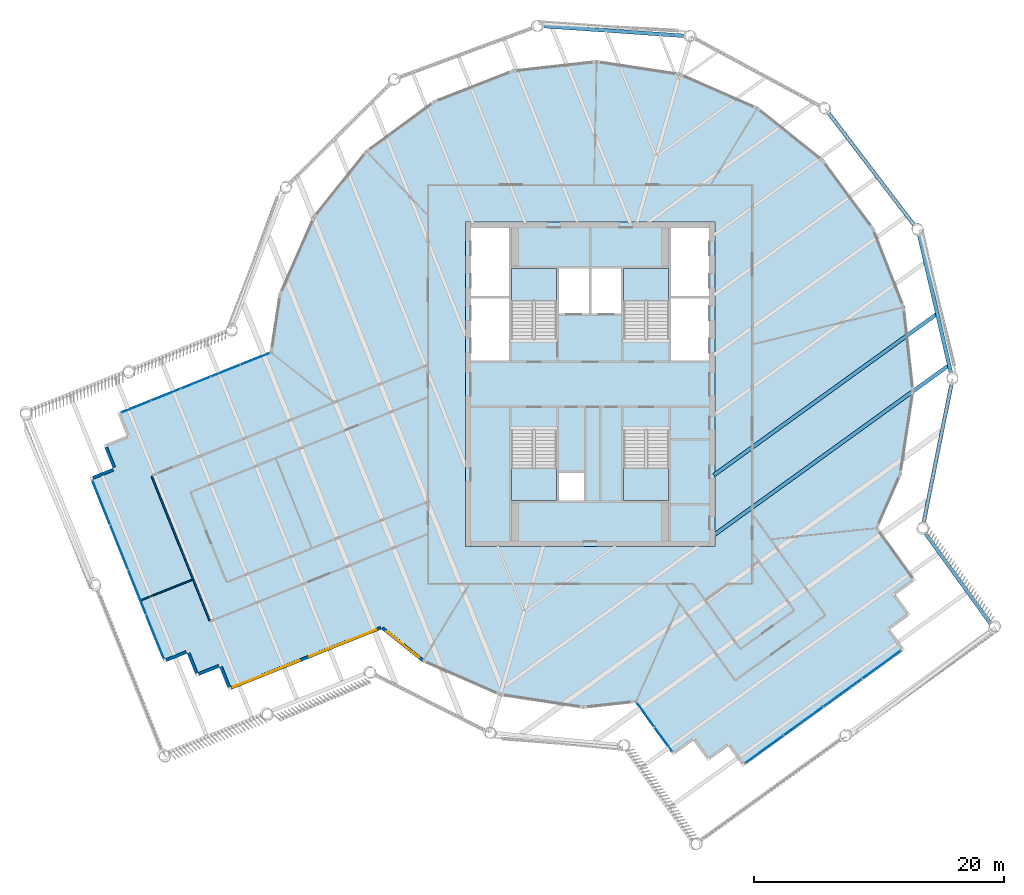
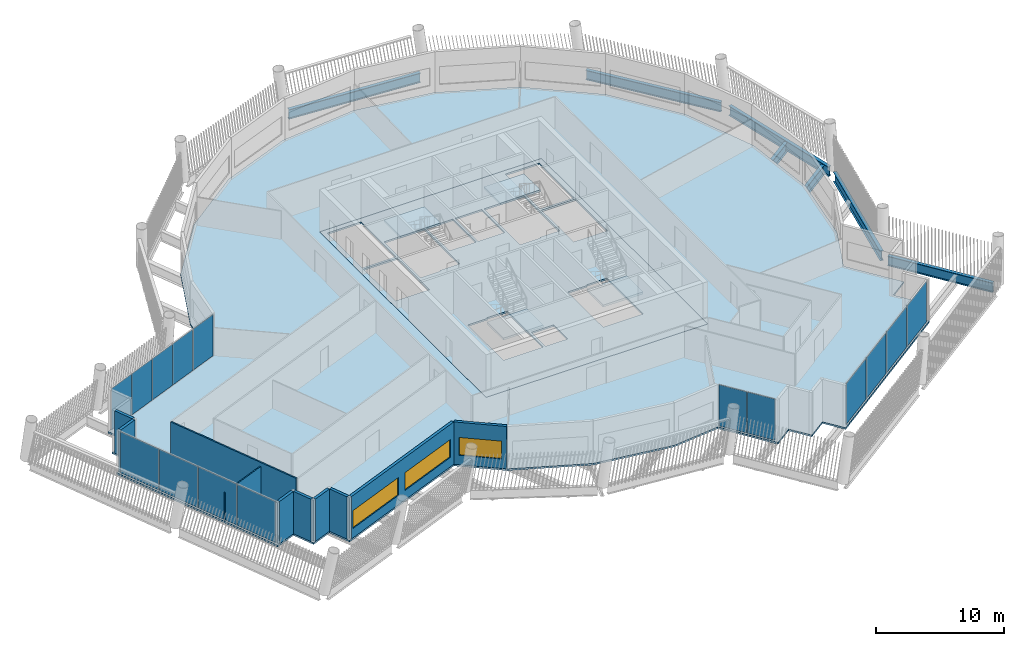
# One storey, part 15 of 27: 15 plates, 10 walls, 7 beams, 6 slabs, 3 windows, 3 openings, 8 elements without a shape of their own.
"""IFC4 building model written with IfcOpenShell, lengths in metres."""

from ifc_helpers import new_model, si_unit, direction, frame, frame_2d, origin, origin_2d, place, context, subcontext, project, spatial, polyline, rectangle, i_section, outline, extrude, material, layer, layer_set, material_profile, profile_set, type_object, element, fill, aggregate, save


model = new_model("IFC4")

# Units and contexts
model_context = context("Model", 3, precision=1e-05, world=origin(), true_north=direction((0.0, 1.0)))
body_context = subcontext(model_context, "Body", "Model", "MODEL_VIEW")
ifc_project = project(units=[si_unit("LENGTHUNIT", "METRE"), si_unit("AREAUNIT", "SQUARE_METRE"), si_unit("VOLUMEUNIT", "CUBIC_METRE"), si_unit("PLANEANGLEUNIT", "RADIAN"), si_unit("MASSUNIT", "GRAM", prefix="KILO")], contexts=[model_context])

# Site, building, storey
site_placement = place(None, origin())
site = spatial("IfcSite", under=ifc_project, at=site_placement, CompositionType="ELEMENT")
building_placement = place(site_placement, origin())
building = spatial("IfcBuilding", under=site, at=building_placement, Name="Tarsis Ring Headquarters", CompositionType="ELEMENT")
storey_placement = place(building_placement, frame((0.0, 0.0, 373.39990234375)))
storey = spatial("IfcBuildingStorey", under=building, at=storey_placement, Name="L88", CompositionType="ELEMENT", Elevation=373.39990234375)

# Beams
ifc_material_1 = material(Name="Structural steel S355", Category="steel")
ifc_material_profile = material_profile(ifc_material_1, i_section(OverallWidth=0.3046875, OverallDepth=0.91943359375, WebThickness=0.017333984375, FlangeThickness=0.02783203125, at=origin_2d()), Name="W36x170")
ifc_profile_set = profile_set([ifc_material_profile], Name="Structural steel S355")
beam_type_1 = type_object("IfcBeamType", Name="FB Floor beam W36x170", PredefinedType="JOIST", material=ifc_profile_set)
beam_1_placement = place(storey_placement, frame((9.9189453125, -7.2685546875, -0.61962890625), z_axis=(0.810653222784, 0.585526559936, 0.0), x_axis=(-0.585526559936, 0.810653222784, 0.0)))
element("IfcBeam", 1, at=beam_1_placement, inside=storey, type_object=beam_type_1, Name="Floor beam FB9", PredefinedType="JOIST", context=body_context, shape_type="SweptSolid", body=[
    extrude(i_section(OverallWidth=0.3046875, OverallDepth=0.91943359375, WebThickness=0.017333984375, FlangeThickness=0.02783203125, at=origin_2d()), origin(), (0.0, 0.0, 1.0), 22.032958984375),
])
beam_2_placement = place(storey_placement, frame((9.9189453125, -12.079345703125, -0.61962890625), z_axis=(0.810654814766, 0.585524355852, 0.0), x_axis=(-0.585524355852, 0.810654814766, 0.0)))
element("IfcBeam", 2, at=beam_2_placement, inside=storey, type_object=beam_type_1, Name="Floor beam FB9", PredefinedType="JOIST", context=body_context, shape_type="SweptSolid", body=[
    extrude(i_section(OverallWidth=0.3046875, OverallDepth=0.91943359375, WebThickness=0.017333984375, FlangeThickness=0.02783203125, at=origin_2d()), origin(), (0.0, 0.0, 1.0), 23.2060546875),
])
beam_type_2 = type_object("IfcBeamType", Name="XG Ring girder W36x170", PredefinedType="BEAM", material=ifc_profile_set)
beam_3_placement = place(storey_placement, frame((32.133056640625, -19.21142578125, -0.459716796875), z_axis=(-0.585542161158, 0.810641953951, 0.0), x_axis=(-0.810641953951, -0.585542161158, 0.0)))
element("IfcBeam", 3, at=beam_3_placement, inside=storey, type_object=beam_type_2, Name="Ring girder XG4", PredefinedType="BEAM", context=body_context, shape_type="SweptSolid", body=[
    extrude(i_section(OverallWidth=0.3046875, OverallDepth=0.91943359375, WebThickness=0.017333984375, FlangeThickness=0.02783203125, at=origin_2d()), origin(), (0.0, 0.0, 1.0), 8.9814453125),
])
for number, where, z_axis, x_axis, name in (
    (4, (26.714111328125, -11.193603515625, -0.459716796875), (0.196962530543, 0.980411016647, 0.0), (-0.980411016647, 0.196962530543, 0.0), "Ring girder XG4"),
    (5, (28.953125, 0.81298828125, -0.459716796875), (-0.224676920567, 0.974433312939, 0.0), (-0.974433312939, -0.224676920567, 0.0), "Ring girder XG4"),
    (6, (26.044189453125, 12.6748046875, -0.459716796875), (-0.606353466192, 0.795195242716, 0.0), (-0.795195242716, -0.606353466192, 0.0), "Ring girder XG4"),
):
    element("IfcBeam", number, at=place(storey_placement, frame(where, z_axis=z_axis, x_axis=x_axis)), inside=storey, type_object=beam_type_2, Name=name, PredefinedType="BEAM", context=body_context, shape_type="SweptSolid", body=[
        extrude(i_section(OverallWidth=0.3046875, OverallDepth=0.91943359375, WebThickness=0.017333984375, FlangeThickness=0.02783203125, at=origin_2d()), origin(), (0.0, 0.0, 1.0), 11.426025390625),
    ])
beam_4_placement = place(storey_placement, frame((7.67431640625, 27.929443359375, -0.459716796875), z_axis=(-0.997578411764, 0.069550789948, 0.0), x_axis=(-0.069550789948, -0.997578411764, 0.0)))
element("IfcBeam", 7, at=beam_4_placement, inside=storey, type_object=beam_type_2, Name="Ring girder XG4", PredefinedType="BEAM", context=body_context, shape_type="SweptSolid", body=[
    extrude(i_section(OverallWidth=0.3046875, OverallDepth=0.91943359375, WebThickness=0.017333984375, FlangeThickness=0.02783203125, at=origin_2d()), origin(), (0.0, 0.0, 1.0), 11.42578125),
])

# Slab
ifc_material_2 = material(Name="Concrete C40/50", Category="concrete")
ifc_layer_1 = layer(ifc_material_2, 0.159912109375)
ifc_layer_set_1 = layer_set([ifc_layer_1], Name="Core floor slab 160 C40/50")
slab_type_1 = type_object("IfcSlabType", Name="Core floor slab 160 C40/50", PredefinedType="FLOOR", material=ifc_layer_set_1)
slab_1_placement = place(storey_placement, frame((0.0, 0.0, -0.159912109375)))
element("IfcSlab", 8, at=slab_1_placement, inside=storey, type_object=slab_type_1, Name="L88 core floor slab", PredefinedType="FLOOR", context=body_context, shape_type="SweptSolid", body=[
    extrude(outline(polyline([(-10.0, -13.0), (10.0, -13.0), (10.0, 13.0), (-10.0, 13.0), (-10.0, -13.0)]), holes=[polyline([(-2.5, 5.699951171875), (-0.10009765625, 5.699951171875), (-0.10009765625, 9.300048828125), (-2.5, 9.300048828125), (-2.5, 5.699951171875)]), polyline([(0.10009765625, 5.699951171875), (2.5, 5.699951171875), (2.5, 9.300048828125), (0.10009765625, 9.300048828125), (0.10009765625, 5.699951171875)]), polyline([(-9.550048828125, 1.89990234375), (-6.5, 1.89990234375), (-6.5, 6.89990234375), (-9.550048828125, 6.89990234375), (-9.550048828125, 1.89990234375)]), polyline([(-9.550048828125, 7.10009765625), (-6.5, 7.10009765625), (-6.5, 12.550048828125), (-9.550048828125, 12.550048828125), (-9.550048828125, 7.10009765625)]), polyline([(6.5, 1.89990234375), (9.550048828125, 1.89990234375), (9.550048828125, 6.89990234375), (6.5, 6.89990234375), (6.5, 1.89990234375)]), polyline([(6.5, 7.10009765625), (9.550048828125, 7.10009765625), (9.550048828125, 12.550048828125), (6.5, 12.550048828125), (6.5, 7.10009765625)]), polyline([(-2.5, -9.300048828125), (-0.5, -9.300048828125), (-0.5, -7.10009765625), (-2.5, -7.10009765625), (-2.5, -9.300048828125)]), polyline([(-2.699951171875, 3.760009765625), (-2.699951171875, 9.300048828125), (-6.300048828125, 9.300048828125), (-6.300048828125, 3.659912109375), (-4.4599609375, 3.659912109375), (-4.4599609375, 3.760009765625), (-2.699951171875, 3.760009765625)]), polyline([(6.300048828125, 3.760009765625), (6.300048828125, 9.300048828125), (2.699951171875, 9.300048828125), (2.699951171875, 3.659912109375), (4.5400390625, 3.659912109375), (4.5400390625, 3.760009765625), (6.300048828125, 3.760009765625)]), polyline([(-6.300048828125, -3.760009765625), (-6.300048828125, -9.300048828125), (-2.699951171875, -9.300048828125), (-2.699951171875, -3.659912109375), (-4.5400390625, -3.659912109375), (-4.5400390625, -3.760009765625), (-6.300048828125, -3.760009765625)]), polyline([(2.699951171875, -3.760009765625), (2.699951171875, -9.300048828125), (6.300048828125, -9.300048828125), (6.300048828125, -3.659912109375), (4.4599609375, -3.659912109375), (4.4599609375, -3.760009765625), (2.699951171875, -3.760009765625)])]), origin(), (0.0, 0.0, 1.0), 0.159912109375),
])

# Stair, slab
ifc_material_3 = material(Name="Core stair 1760")
stair_type = type_object("IfcStairType", Name="Core stair 1760", PredefinedType="HALF_TURN_STAIR", material=ifc_material_3)
stair_1_placement = place(storey_placement, origin())
stair_1 = element("IfcStair", 9, at=stair_1_placement, inside=storey, type_object=stair_type, Name="L88 Firefighting stair", PredefinedType="HALF_TURN_STAIR")
ifc_layer_2 = layer(ifc_material_2, 0.199951171875)
ifc_layer_set_2 = layer_set([ifc_layer_2], Name="Core stair landing 200")
slab_type_2 = type_object("IfcSlabType", Name="Core stair landing 200", PredefinedType="LANDING", material=ifc_layer_set_2)
slab_2_placement = place(storey_placement, frame((0.0, 0.0, 1.900146484375)))
slab_2 = element("IfcSlab", 10, at=slab_2_placement, type_object=slab_type_2, Name="Stair ST1 landing 1", PredefinedType="LANDING", context=body_context, shape_type="SweptSolid", body=[
    extrude(outline(polyline([(-2.699951171875, 6.739990234375), (-2.699951171875, 9.300048828125), (-6.300048828125, 9.300048828125), (-6.300048828125, 6.739990234375), (-2.699951171875, 6.739990234375)])), origin(), (0.0, 0.0, 1.0), 0.199951171875),
])
aggregate(stair_1, [slab_2])

stair_2_placement = place(storey_placement, origin())
stair_2 = element("IfcStair", 11, at=stair_2_placement, inside=storey, type_object=stair_type, Name="L88 Exit stair B", PredefinedType="HALF_TURN_STAIR")
slab_3_placement = place(storey_placement, frame((0.0, 0.0, 1.900146484375)))
slab_3 = element("IfcSlab", 12, at=slab_3_placement, type_object=slab_type_2, Name="Stair ST2 landing 1", PredefinedType="LANDING", context=body_context, shape_type="SweptSolid", body=[
    extrude(outline(polyline([(6.300048828125, 6.739990234375), (6.300048828125, 9.300048828125), (2.699951171875, 9.300048828125), (2.699951171875, 6.739990234375), (6.300048828125, 6.739990234375)])), origin(), (0.0, 0.0, 1.0), 0.199951171875),
])
aggregate(stair_2, [slab_3])

stair_3_placement = place(storey_placement, origin())
stair_3 = element("IfcStair", 13, at=stair_3_placement, inside=storey, type_object=stair_type, Name="L88 Exit stair C", PredefinedType="HALF_TURN_STAIR")
slab_4_placement = place(storey_placement, frame((0.0, 0.0, 1.900146484375)))
slab_4 = element("IfcSlab", 14, at=slab_4_placement, type_object=slab_type_2, Name="Stair ST3 landing 1", PredefinedType="LANDING", context=body_context, shape_type="SweptSolid", body=[
    extrude(outline(polyline([(-6.300048828125, -6.739990234375), (-6.300048828125, -9.300048828125), (-2.699951171875, -9.300048828125), (-2.699951171875, -6.739990234375), (-6.300048828125, -6.739990234375)])), origin(), (0.0, 0.0, 1.0), 0.199951171875),
])
aggregate(stair_3, [slab_4])

stair_4_placement = place(storey_placement, origin())
stair_4 = element("IfcStair", 15, at=stair_4_placement, inside=storey, type_object=stair_type, Name="L88 Exit stair D", PredefinedType="HALF_TURN_STAIR")
slab_5_placement = place(storey_placement, frame((0.0, 0.0, 1.900146484375)))
slab_5 = element("IfcSlab", 16, at=slab_5_placement, type_object=slab_type_2, Name="Stair ST4 landing 1", PredefinedType="LANDING", context=body_context, shape_type="SweptSolid", body=[
    extrude(outline(polyline([(2.699951171875, -6.739990234375), (2.699951171875, -9.300048828125), (6.300048828125, -9.300048828125), (6.300048828125, -6.739990234375), (2.699951171875, -6.739990234375)])), origin(), (0.0, 0.0, 1.0), 0.199951171875),
])
aggregate(stair_4, [slab_5])

# Curtain wall, plates
ifc_material_4 = material(Name="Aluminium curtain wall", Category="aluminium")
ifc_layer_3 = layer(ifc_material_4, 0.199951171875)
ifc_layer_set_3 = layer_set([ifc_layer_3], Name="Curtain wall executive tip")
curtain_wall_type_1 = type_object("IfcCurtainWallType", Name="Curtain wall executive tip", PredefinedType="NOTDEFINED", material=ifc_layer_set_3)
curtain_wall_1_placement = place(storey_placement, origin())
curtain_wall_1 = element("IfcCurtainWall", 17, at=curtain_wall_1_placement, inside=storey, type_object=curtain_wall_type_1, Name="Curtain wall L88-11", PredefinedType="NOTDEFINED")
ifc_material_5 = material(Name="Clear double glazing", Category="glass")
ifc_layer_4 = layer(ifc_material_5, 0.028076171875)
ifc_layer_set_4 = layer_set([ifc_layer_4], Name="Curtain wall glass panel executive tip")
plate_type_1 = type_object("IfcPlateType", Name="Curtain wall glass panel executive tip", PredefinedType="CURTAIN_PANEL", material=ifc_layer_set_4)
plate_1_placement = place(storey_placement, frame((13.9658203125, -29.232666015625, 0.070068359375), z_axis=(0.0, 0.0, 1.0), x_axis=(0.810655269208, 0.58552372668, 0.0)))
plate_1 = element("IfcPlate", 18, at=plate_1_placement, type_object=plate_type_1, Name="CW-E panel 1.1", PredefinedType="CURTAIN_PANEL", context=body_context, shape_type="SweptSolid", body=[
    extrude(rectangle(XDim=3.77001953125, YDim=0.028076171875, at=origin_2d()), origin(), (0.0, 0.0, 1.0), 3.89990234375),
])
plate_2_placement = place(storey_placement, frame((17.093017578125, -26.97412109375, 0.070068359375), z_axis=(0.0, 0.0, 1.0), x_axis=(0.810655269208, 0.58552372668, 0.0)))
plate_2 = element("IfcPlate", 19, at=plate_2_placement, type_object=plate_type_1, Name="CW-E panel 2.1", PredefinedType="CURTAIN_PANEL", context=body_context, shape_type="SweptSolid", body=[
    extrude(rectangle(XDim=3.804931640625, YDim=0.028076171875, at=origin_2d()), origin(), (0.0, 0.0, 1.0), 3.89990234375),
])
plate_3_placement = place(storey_placement, frame((20.234130859375, -24.705078125, 0.070068359375), z_axis=(0.0, 0.0, 1.0), x_axis=(0.810655269208, 0.58552372668, 0.0)))
plate_3 = element("IfcPlate", 20, at=plate_3_placement, type_object=plate_type_1, Name="CW-E panel 3.1", PredefinedType="CURTAIN_PANEL", context=body_context, shape_type="SweptSolid", body=[
    extrude(rectangle(XDim=3.804931640625, YDim=0.028076171875, at=origin_2d()), origin(), (0.0, 0.0, 1.0), 3.89990234375),
])
plate_4_placement = place(storey_placement, frame((23.361328125, -22.446533203125, 0.070068359375), z_axis=(0.0, 0.0, 1.0), x_axis=(0.810655269208, 0.58552372668, 0.0)))
plate_4 = element("IfcPlate", 21, at=plate_4_placement, type_object=plate_type_1, Name="CW-E panel 4.1", PredefinedType="CURTAIN_PANEL", context=body_context, shape_type="SweptSolid", body=[
    extrude(rectangle(XDim=3.77001953125, YDim=0.028076171875, at=origin_2d()), origin(), (0.0, 0.0, 1.0), 3.89990234375),
])
aggregate(curtain_wall_1, [plate_1, plate_2, plate_3, plate_4])

curtain_wall_2_placement = place(storey_placement, origin())
curtain_wall_2 = element("IfcCurtainWall", 22, at=curtain_wall_2_placement, inside=storey, type_object=curtain_wall_type_1, Name="Curtain wall L88-36", PredefinedType="NOTDEFINED")
plate_5_placement = place(storey_placement, frame((-39.1689453125, -9.455078125, 0.070068359375), z_axis=(0.0, 0.0, 1.0), x_axis=(0.372015942513, -0.928226340133, 0.0)))
plate_5 = element("IfcPlate", 23, at=plate_5_placement, type_object=plate_type_1, Name="CW-E panel 1.1", PredefinedType="CURTAIN_PANEL", context=body_context, shape_type="SweptSolid", body=[
    extrude(rectangle(XDim=3.77001953125, YDim=0.028076171875, at=origin_2d()), origin(), (0.0, 0.0, 1.0), 3.89990234375),
])
plate_6_placement = place(storey_placement, frame((-37.73388671875, -13.03564453125, 0.070068359375), z_axis=(0.0, 0.0, 1.0), x_axis=(0.372015942513, -0.928226340133, 0.0)))
plate_6 = element("IfcPlate", 24, at=plate_6_placement, type_object=plate_type_1, Name="CW-E panel 2.1", PredefinedType="CURTAIN_PANEL", context=body_context, shape_type="SweptSolid", body=[
    extrude(rectangle(XDim=3.804931640625, YDim=0.028076171875, at=origin_2d()), origin(), (0.0, 0.0, 1.0), 3.89990234375),
])
plate_7_placement = place(storey_placement, frame((-36.292236328125, -16.632568359375, 0.070068359375), z_axis=(0.0, 0.0, 1.0), x_axis=(0.372015942513, -0.928226340133, 0.0)))
plate_7 = element("IfcPlate", 25, at=plate_7_placement, type_object=plate_type_1, Name="CW-E panel 3.1", PredefinedType="CURTAIN_PANEL", context=body_context, shape_type="SweptSolid", body=[
    extrude(rectangle(XDim=3.804931640625, YDim=0.028076171875, at=origin_2d()), origin(), (0.0, 0.0, 1.0), 3.89990234375),
])
plate_8_placement = place(storey_placement, frame((-34.857177734375, -20.213134765625, 0.070068359375), z_axis=(0.0, 0.0, 1.0), x_axis=(0.372015942513, -0.928226340133, 0.0)))
plate_8 = element("IfcPlate", 26, at=plate_8_placement, type_object=plate_type_1, Name="CW-E panel 4.1", PredefinedType="CURTAIN_PANEL", context=body_context, shape_type="SweptSolid", body=[
    extrude(rectangle(XDim=3.77001953125, YDim=0.028076171875, at=origin_2d()), origin(), (0.0, 0.0, 1.0), 3.89990234375),
])
aggregate(curtain_wall_2, [plate_5, plate_6, plate_7, plate_8])

ifc_layer_5 = layer(ifc_material_4, 0.14990234375)
ifc_layer_set_5 = layer_set([ifc_layer_5], Name="Curtain wall tower unit")
curtain_wall_type_2 = type_object("IfcCurtainWallType", Name="Curtain wall tower unit", PredefinedType="NOTDEFINED", material=ifc_layer_set_5)
curtain_wall_3_placement = place(storey_placement, origin())
curtain_wall_3 = element("IfcCurtainWall", 27, at=curtain_wall_3_placement, inside=storey, type_object=curtain_wall_type_2, Name="Curtain wall L88-06", PredefinedType="NOTDEFINED")
ifc_layer_6 = layer(ifc_material_5, 0.028076171875)
ifc_layer_set_6 = layer_set([ifc_layer_6], Name="Curtain wall glass panel tower unit")
plate_type_2 = type_object("IfcPlateType", Name="Curtain wall glass panel tower unit", PredefinedType="CURTAIN_PANEL", material=ifc_layer_set_6)
plate_9_placement = place(storey_placement, frame((4.468994140625, -26.468505859375, 0.06005859375), z_axis=(0.0, 0.0, 1.0), x_axis=(0.585523763551, -0.810655242577, 0.0)))
plate_9 = element("IfcPlate", 28, at=plate_9_placement, type_object=plate_type_2, Name="CW-T panel 1.1", PredefinedType="CURTAIN_PANEL", context=body_context, shape_type="SweptSolid", body=[
    extrude(rectangle(XDim=2.37109375, YDim=0.028076171875, at=origin_2d()), origin(), (0.0, 0.0, 1.0), 3.919921875),
])
plate_10_placement = place(storey_placement, frame((5.892578125, -28.439208984375, 0.06005859375), z_axis=(0.0, 0.0, 1.0), x_axis=(0.585523763551, -0.810655242577, 0.0)))
plate_10 = element("IfcPlate", 29, at=plate_10_placement, type_object=plate_type_2, Name="CW-T panel 2.1", PredefinedType="CURTAIN_PANEL", context=body_context, shape_type="SweptSolid", body=[
    extrude(rectangle(XDim=2.37109375, YDim=0.028076171875, at=origin_2d()), origin(), (0.0, 0.0, 1.0), 3.919921875),
])
aggregate(curtain_wall_3, [plate_9, plate_10])

curtain_wall_4_placement = place(storey_placement, origin())
curtain_wall_4 = element("IfcCurtainWall", 30, at=curtain_wall_4_placement, inside=storey, type_object=curtain_wall_type_2, Name="Curtain wall L88-31", PredefinedType="NOTDEFINED")
plate_11_placement = place(storey_placement, frame((-26.837890625, 2.037109375, 0.06005859375), z_axis=(0.0, 0.0, 1.0), x_axis=(-0.928226353164, -0.372015909999, 0.0)))
plate_11 = element("IfcPlate", 31, at=plate_11_placement, type_object=plate_type_2, Name="CW-T panel 1.1", PredefinedType="CURTAIN_PANEL", context=body_context, shape_type="SweptSolid", body=[
    extrude(rectangle(XDim=2.490234375, YDim=0.028076171875, at=origin_2d()), origin(), (0.0, 0.0, 1.0), 3.919921875),
])
plate_12_placement = place(storey_placement, frame((-29.218994140625, 1.082763671875, 0.06005859375), z_axis=(0.0, 0.0, 1.0), x_axis=(-0.928226353164, -0.372015909999, 0.0)))
plate_12 = element("IfcPlate", 32, at=plate_12_placement, type_object=plate_type_2, Name="CW-T panel 2.1", PredefinedType="CURTAIN_PANEL", context=body_context, shape_type="SweptSolid", body=[
    extrude(rectangle(XDim=2.520263671875, YDim=0.028076171875, at=origin_2d()), origin(), (0.0, 0.0, 1.0), 3.919921875),
])
plate_13_placement = place(storey_placement, frame((-31.614013671875, 0.122802734375, 0.06005859375), z_axis=(0.0, 0.0, 1.0), x_axis=(-0.928226353164, -0.372015909999, 0.0)))
plate_13 = element("IfcPlate", 33, at=plate_13_placement, type_object=plate_type_2, Name="CW-T panel 3.1", PredefinedType="CURTAIN_PANEL", context=body_context, shape_type="SweptSolid", body=[
    extrude(rectangle(XDim=2.520263671875, YDim=0.028076171875, at=origin_2d()), origin(), (0.0, 0.0, 1.0), 3.919921875),
])
plate_14_placement = place(storey_placement, frame((-34.00927734375, -0.8369140625, 0.06005859375), z_axis=(0.0, 0.0, 1.0), x_axis=(-0.928226353164, -0.372015909999, 0.0)))
plate_14 = element("IfcPlate", 34, at=plate_14_placement, type_object=plate_type_2, Name="CW-T panel 4.1", PredefinedType="CURTAIN_PANEL", context=body_context, shape_type="SweptSolid", body=[
    extrude(rectangle(XDim=2.520263671875, YDim=0.028076171875, at=origin_2d()), origin(), (0.0, 0.0, 1.0), 3.919921875),
])
plate_15_placement = place(storey_placement, frame((-36.390380859375, -1.791259765625, 0.06005859375), z_axis=(0.0, 0.0, 1.0), x_axis=(-0.928226353164, -0.372015909999, 0.0)))
plate_15 = element("IfcPlate", 35, at=plate_15_placement, type_object=plate_type_2, Name="CW-T panel 5.1", PredefinedType="CURTAIN_PANEL", context=body_context, shape_type="SweptSolid", body=[
    extrude(rectangle(XDim=2.490234375, YDim=0.028076171875, at=origin_2d()), origin(), (0.0, 0.0, 1.0), 3.919921875),
])
aggregate(curtain_wall_4, [plate_11, plate_12, plate_13, plate_14, plate_15])

# Slab
ifc_material_6 = material(Name="Concrete C35/45", Category="concrete")
ifc_layer_7 = layer(ifc_material_6, 0.159912109375)
ifc_layer_set_7 = layer_set([ifc_layer_7], Name="FS Composite floor slab 160")
slab_type_3 = type_object("IfcSlabType", Name="FS Composite floor slab 160", PredefinedType="FLOOR", material=ifc_layer_set_7)
slab_6_placement = place(storey_placement, frame((0.0, 0.0, -0.159912109375)))
element("IfcSlab", 36, at=slab_6_placement, inside=storey, type_object=slab_type_3, Name="Floor slab L88", PredefinedType="FLOOR", context=body_context, shape_type="SweptSolid", body=[
    extrude(outline(polyline([(-16.725341796875, -19.631103515625), (-13.453125, -22.248779296875), (-7.236328125, -24.97265625), (-0.5263671875, -25.99462890625), (3.638427734375, -25.531982421875), (6.666748046875, -29.724609375), (8.2880859375, -28.553466796875), (9.459228515625, -30.1748046875), (11.08056640625, -29.00390625), (12.25146484375, -30.625244140625), (25.221923828125, -21.2568359375), (24.051025390625, -19.635498046875), (25.67236328125, -18.46435546875), (24.501220703125, -16.843017578125), (26.12255859375, -15.672119140625), (23.106201171875, -11.49609375), (24.97265625, -7.236328125), (25.99462890625, -0.5263671875), (25.2451171875, 6.219482421875), (22.775146484375, 12.54150390625), (18.753173828125, 18.0087890625), (13.453125, 22.248779296875), (7.236328125, 24.97265625), (0.5263671875, 25.99462890625), (-6.219482421875, 25.2451171875), (-12.54150390625, 22.775146484375), (-18.0087890625, 18.753173828125), (-22.248779296875, 13.453125), (-24.97265625, 7.236328125), (-25.6728515625, 2.638671875), (-37.88037109375, -2.25390625), (-37.13623046875, -4.1103515625), (-38.99267578125, -4.854248046875), (-38.248779296875, -6.710693359375), (-40.105224609375, -7.454833984375), (-34.15283203125, -22.306396484375), (-32.29638671875, -21.5625), (-31.552490234375, -23.4189453125), (-29.696044921875, -22.6748046875), (-28.951904296875, -24.53125), (-16.725341796875, -19.631103515625)]), holes=[polyline([(-10.0, -13.0), (-10.0, 13.0), (10.0, 13.0), (10.0, -13.0), (-10.0, -13.0)])]), origin(), (0.0, 0.0, 1.0), 0.159912109375),
])

# Walls
ifc_material_7 = material(Name="Gypsum board on steel studs", Category="steel")
ifc_layer_8 = layer(ifc_material_7, 0.10009765625)
ifc_layer_set_8 = layer_set([ifc_layer_8], Name="FL partition 100 unrated")
wall_type_1 = type_object("IfcWallType", Name="FL partition 100 unrated", PredefinedType="PARTITIONING", material=ifc_layer_set_8)
wall_1_placement = place(storey_placement, frame((-36.08935546875, -17.34033203125, 0.0), z_axis=(0.0, 0.0, 1.0), x_axis=(0.928224286812, 0.372021065765, 0.0)))
element("IfcWall", 37, at=wall_1_placement, inside=storey, type_object=wall_type_1, Name="Partition PW3", PredefinedType="PARTITIONING", context=body_context, shape_type="SweptSolid", body=[
    extrude(rectangle(XDim=4.5400390625, YDim=0.10009765625, at=frame_2d((2.27001953125, 0.0))), origin(), (0.0, 0.0, 1.0), 2.7001953125),
])
ifc_layer_9 = layer(ifc_material_7, 0.125)
ifc_layer_set_9 = layer_set([ifc_layer_9], Name="FL partition 125 EI 60 H3070")
wall_type_2 = type_object("IfcWallType", Name="FL partition 125 EI 60 H3070", PredefinedType="PARTITIONING", material=ifc_layer_set_9)
wall_2_placement = place(storey_placement, frame((-35.12109375, -7.3642578125, 0.0), z_axis=(0.0, 0.0, 1.0), x_axis=(0.372012196738, -0.928227841361, 0.0)))
element("IfcWall", 38, at=wall_2_placement, inside=storey, type_object=wall_type_2, Name="Partition PW1H307", PredefinedType="PARTITIONING", context=body_context, shape_type="SweptSolid", body=[
    extrude(rectangle(XDim=12.4599609375, YDim=0.125, at=frame_2d((6.22998046875, 0.0))), origin(), (0.0, 0.0, 1.0), 3.070068359375),
])

# Wall, openings, windows
ifc_material_8 = material(Name="Terracotta clad insulated panel wall", Category="masonry")
ifc_layer_10 = layer(ifc_material_8, 0.25)
ifc_layer_set_10 = layer_set([ifc_layer_10], Name="Facade wall terracotta panel 250")
wall_type_3 = type_object("IfcWallType", Name="Facade wall terracotta panel 250", PredefinedType="STANDARD", material=ifc_layer_set_10)
wall_3_placement = place(storey_placement, frame((-28.766357421875, -24.322265625, 0.0), z_axis=(0.0, 0.0, 1.0), x_axis=(0.928226302195, 0.372016037172, 0.0)))
wall_3 = element("IfcWall", 39, at=wall_3_placement, inside=storey, type_object=wall_type_3, Name="External wall L88-01", PredefinedType="STANDARD", context=body_context, shape_type="SweptSolid", body=[
    extrude(rectangle(XDim=12.921875, YDim=0.25, at=frame_2d((6.4609375, 0.0))), origin(), (0.0, 0.0, 1.0), 4.0400390625),
])
opening_1_placement = place(wall_3_placement, frame((0.16796875, 0.0, 0.89990234375)))
opening_1 = element("IfcOpeningElement", 40, at=opening_1_placement, cuts=wall_3, Name="Opening WN06", PredefinedType="OPENING", context=body_context, shape_type="SweptSolid", body=[
    extrude(rectangle(XDim=5.75, YDim=1.699951171875, at=frame_2d((2.875, 0.85009765625))), frame((0.0, 0.135009765625, 0.0), z_axis=(0.0, -1.0, 0.0), x_axis=(1.0, 0.0, 0.0)), (0.0, 0.0, 1.0), 0.27001953125),
])
opening_2_placement = place(wall_3_placement, frame((6.75390625, 0.0, 0.89990234375)))
opening_2 = element("IfcOpeningElement", 41, at=opening_2_placement, cuts=wall_3, Name="Opening WN06", PredefinedType="OPENING", context=body_context, shape_type="SweptSolid", body=[
    extrude(rectangle(XDim=5.75, YDim=1.699951171875, at=frame_2d((2.875, 0.85009765625))), frame((0.0, 0.135009765625, 0.0), z_axis=(0.0, -1.0, 0.0), x_axis=(1.0, 0.0, 0.0)), (0.0, 0.0, 1.0), 0.27001953125),
])
ifc_material_9 = material(Name="Aluminium framed double glazing", Category="aluminium")
window_type_1 = type_object("IfcWindowType", Name="Facade window 5750 x 1700", PartitioningType="SINGLE_PANEL", PredefinedType="WINDOW", material=ifc_material_9)
window_1_placement = place(opening_1_placement, origin())
window_1 = element("IfcWindow", 42, at=window_1_placement, inside=storey, type_object=window_type_1, Name="Window L88-01.1", OverallHeight=1.699951171875, OverallWidth=5.75, PartitioningType="SINGLE_PANEL", PredefinedType="WINDOW", context=body_context, shape_type="SweptSolid", body=[
    extrude(rectangle(XDim=5.75, YDim=1.699951171875, at=frame_2d((2.875, 0.85009765625))), frame((0.0, 0.030029296875, 0.0), z_axis=(0.0, -1.0, 0.0), x_axis=(1.0, 0.0, 0.0)), (0.0, 0.0, 1.0), 0.06005859375),
])
fill(opening_1, window_1)
window_2_placement = place(opening_2_placement, origin())
window_2 = element("IfcWindow", 43, at=window_2_placement, inside=storey, type_object=window_type_1, Name="Window L88-01.2", OverallHeight=1.699951171875, OverallWidth=5.75, PartitioningType="SINGLE_PANEL", PredefinedType="WINDOW", context=body_context, shape_type="SweptSolid", body=[
    extrude(rectangle(XDim=5.75, YDim=1.699951171875, at=frame_2d((2.875, 0.85009765625))), frame((0.0, 0.030029296875, 0.0), z_axis=(0.0, -1.0, 0.0), x_axis=(1.0, 0.0, 0.0)), (0.0, 0.0, 1.0), 0.06005859375),
])
fill(opening_2, window_2)

# Wall, opening, window
wall_4_placement = place(storey_placement, frame((-16.647216796875, -19.533447265625, 0.0), z_axis=(0.0, 0.0, 1.0), x_axis=(0.780857350907, -0.624709370455, 0.0)))
wall_4 = element("IfcWall", 44, at=wall_4_placement, inside=storey, type_object=wall_type_3, Name="External wall L88-02", PredefinedType="STANDARD", context=body_context, shape_type="SweptSolid", body=[
    extrude(rectangle(XDim=4.157470703125, YDim=0.25, at=frame_2d((2.07861328125, 0.0))), origin(), (0.0, 0.0, 1.0), 4.0400390625),
])
opening_3_placement = place(wall_4_placement, frame((0.420166015625, 0.0, 0.89990234375)))
opening_3 = element("IfcOpeningElement", 45, at=opening_3_placement, cuts=wall_4, Name="Opening WN01", PredefinedType="OPENING", context=body_context, shape_type="SweptSolid", body=[
    extrude(rectangle(XDim=3.35009765625, YDim=1.699951171875, at=frame_2d((1.675048828125, 0.85009765625))), frame((0.0, 0.135009765625, 0.0), z_axis=(0.0, -1.0, 0.0), x_axis=(1.0, 0.0, 0.0)), (0.0, 0.0, 1.0), 0.27001953125),
])
window_type_2 = type_object("IfcWindowType", Name="Facade window 3350 x 1700", PartitioningType="SINGLE_PANEL", PredefinedType="WINDOW", material=ifc_material_9)
window_3_placement = place(opening_3_placement, origin())
window_3 = element("IfcWindow", 46, at=window_3_placement, inside=storey, type_object=window_type_2, Name="Window L88-02.1", OverallHeight=1.699951171875, OverallWidth=3.35009765625, PartitioningType="SINGLE_PANEL", PredefinedType="WINDOW", context=body_context, shape_type="SweptSolid", body=[
    extrude(rectangle(XDim=3.35009765625, YDim=1.699951171875, at=frame_2d((1.675048828125, 0.85009765625))), frame((0.0, 0.030029296875, 0.0), z_axis=(0.0, -1.0, 0.0), x_axis=(1.0, 0.0, 0.0)), (0.0, 0.0, 1.0), 0.06005859375),
])
fill(opening_3, window_3)

# Walls
for number, where, z_axis, x_axis, name in (
    (47, (-38.78369140625, -5.039794921875, 0.0), (0.0, 0.0, 1.0), (0.371919772142, -0.928264877656, 0.0), "External wall L88-34"),
    (48, (-38.2021484375, -6.826904296875, 0.0), (0.0, 0.0, 1.0), (-0.928264877656, -0.371919772142, 0.0), "External wall L88-35"),
    (49, (-33.96728515625, -22.097412109375, 0.0), (0.0, 0.0, 1.0), (0.928197397602, 0.372088149617, 0.0), "External wall L88-37"),
):
    element("IfcWall", number, at=place(storey_placement, frame(where, z_axis=z_axis, x_axis=x_axis)), inside=storey, type_object=wall_type_3, Name=name, PredefinedType="STANDARD", context=body_context, shape_type="SweptSolid", body=[
        extrude(rectangle(XDim=1.75, YDim=0.25, at=frame_2d((0.875, 0.0))), origin(), (0.0, 0.0, 1.0), 4.0400390625),
    ])
wall_5_placement = place(storey_placement, frame((-32.180419921875, -21.515869140625, 0.0), z_axis=(0.0, 0.0, 1.0), x_axis=(0.372039970672, -0.92821670973, 0.0)))
element("IfcWall", 50, at=wall_5_placement, inside=storey, type_object=wall_type_3, Name="External wall L88-38", PredefinedType="STANDARD", context=body_context, shape_type="SweptSolid", body=[
    extrude(rectangle(XDim=1.750244140625, YDim=0.25, at=frame_2d((0.875, 0.0))), origin(), (0.0, 0.0, 1.0), 4.0400390625),
])
for number, where, z_axis, x_axis, name in (
    (51, (-31.366943359375, -23.209716796875, 0.0), (0.0, 0.0, 1.0), (0.928264877656, 0.371919772142, 0.0), "External wall L88-39"),
    (52, (-29.580078125, -22.62841796875, 0.0), (0.0, 0.0, 1.0), (0.372088149617, -0.928197397602, 0.0), "External wall L88-40"),
):
    element("IfcWall", number, at=place(storey_placement, frame(where, z_axis=z_axis, x_axis=x_axis)), inside=storey, type_object=wall_type_3, Name=name, PredefinedType="STANDARD", context=body_context, shape_type="SweptSolid", body=[
        extrude(rectangle(XDim=1.75, YDim=0.25, at=frame_2d((0.875, 0.0))), origin(), (0.0, 0.0, 1.0), 4.0400390625),
    ])

save(model, "model.ifc")
